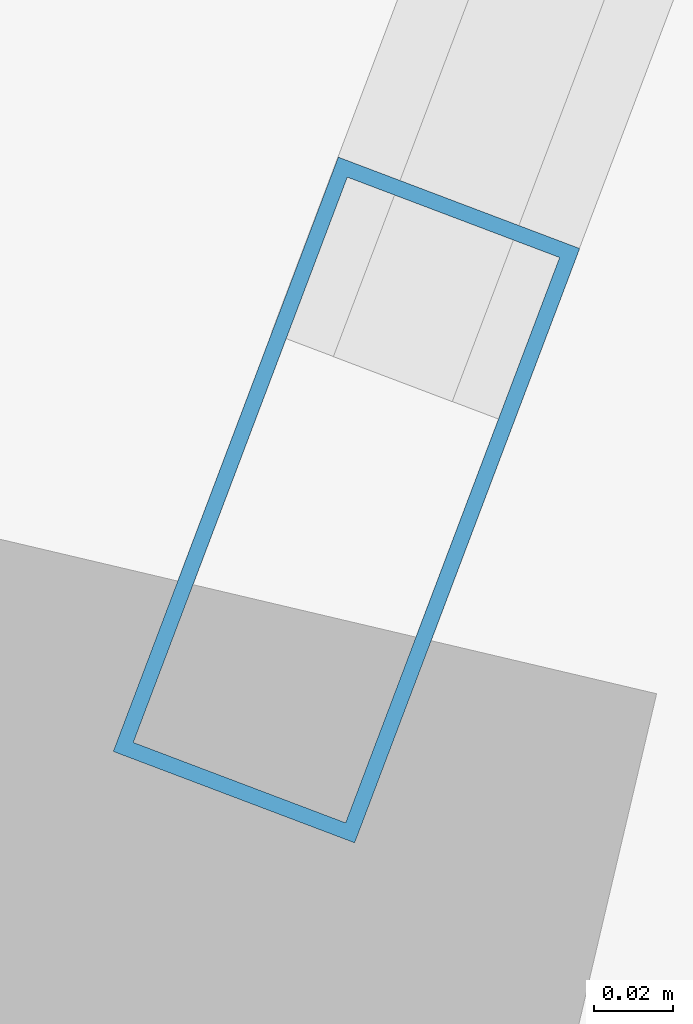
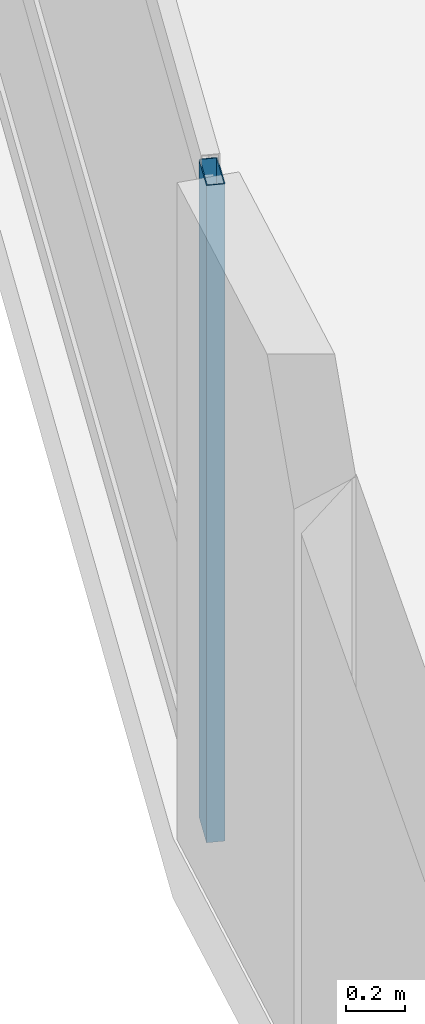
# One storey, part 2 of 25: 1 member, 1 element without a shape of its own.
"""IFC4 building model written with IfcOpenShell, lengths in metres."""

from ifc_helpers import new_model, si_unit, direction, frame, origin, origin_2d, place, context, subcontext, project, spatial, hollow_rectangle, extrude, material, layer, layer_set, material_profile, profile_set, type_object, element, aggregate, save


model = new_model("IFC4")

# Units and contexts
model_context = context("Model", 3, precision=1e-05, world=origin(), true_north=direction((0.0, 1.0)))
body_context = subcontext(model_context, "Body", "Model", "MODEL_VIEW")
ifc_project = project(units=[si_unit("LENGTHUNIT", "METRE"), si_unit("AREAUNIT", "SQUARE_METRE"), si_unit("VOLUMEUNIT", "CUBIC_METRE"), si_unit("PLANEANGLEUNIT", "RADIAN"), si_unit("MASSUNIT", "GRAM", prefix="KILO")], contexts=[model_context])

# Site, building, storey
site_placement = place(None, origin())
site = spatial("IfcSite", under=ifc_project, at=site_placement, CompositionType="ELEMENT")
building_placement = place(site_placement, origin())
building = spatial("IfcBuilding", under=site, at=building_placement, Name="Varnelok Gate Tower", CompositionType="ELEMENT")
storey_placement = place(building_placement, frame((0.0, 0.0, 79.89990234375)))
storey = spatial("IfcBuildingStorey", under=building, at=storey_placement, Name="L19", CompositionType="ELEMENT", Elevation=79.89990234375)

# Curtain wall, member
ifc_material = material(Name="Anodized Aluminum Alloy 6063-T6", Category="aluminium")
ifc_layer = layer(ifc_material, 0.179931640625)
ifc_layer_set = layer_set([ifc_layer], Name="Anodized Aluminum Alloy 6063-T6")
curtain_wall_type = type_object("IfcCurtainWallType", Name="CW3-HOTEL-VISION", PredefinedType="USERDEFINED", material=ifc_layer_set)
curtain_wall_placement = place(storey_placement, origin())
curtain_wall = element("IfcCurtainWall", 1, at=curtain_wall_placement, inside=storey, type_object=curtain_wall_type, Name="L19 West End Vision Curtain Wall", ObjectType="UNITISED CURTAIN WALL", PredefinedType="USERDEFINED")
ifc_material_profile = material_profile(ifc_material, hollow_rectangle(XDim=0.06494140625, YDim=0.159912109375, WallThickness=0.00390625, at=origin_2d()), Name="ALU160X65X4")
ifc_profile_set = profile_set([ifc_material_profile], Name="Anodized Aluminum Alloy 6063-T6")
member_type = type_object("IfcMemberType", Name="CW-MULL-160", PredefinedType="MULLION", material=ifc_profile_set)
member_placement = place(storey_placement, frame((-2.04345703125, 21.59521484375, 0.0), z_axis=(0.0, 0.0, 1.0), x_axis=(-0.935221323688, 0.354063660545, 0.0)))
member = element("IfcMember", 2, at=member_placement, type_object=member_type, Name="CW3 mullion 1", PredefinedType="MULLION", context=body_context, shape_type="SweptSolid", body=[
    extrude(hollow_rectangle(XDim=0.06494140625, YDim=0.159912109375, WallThickness=0.00390625, at=origin_2d()), origin(), (0.0, 0.0, 1.0), 2.72998046875),
])
aggregate(curtain_wall, [member])

save(model, "model.ifc")
